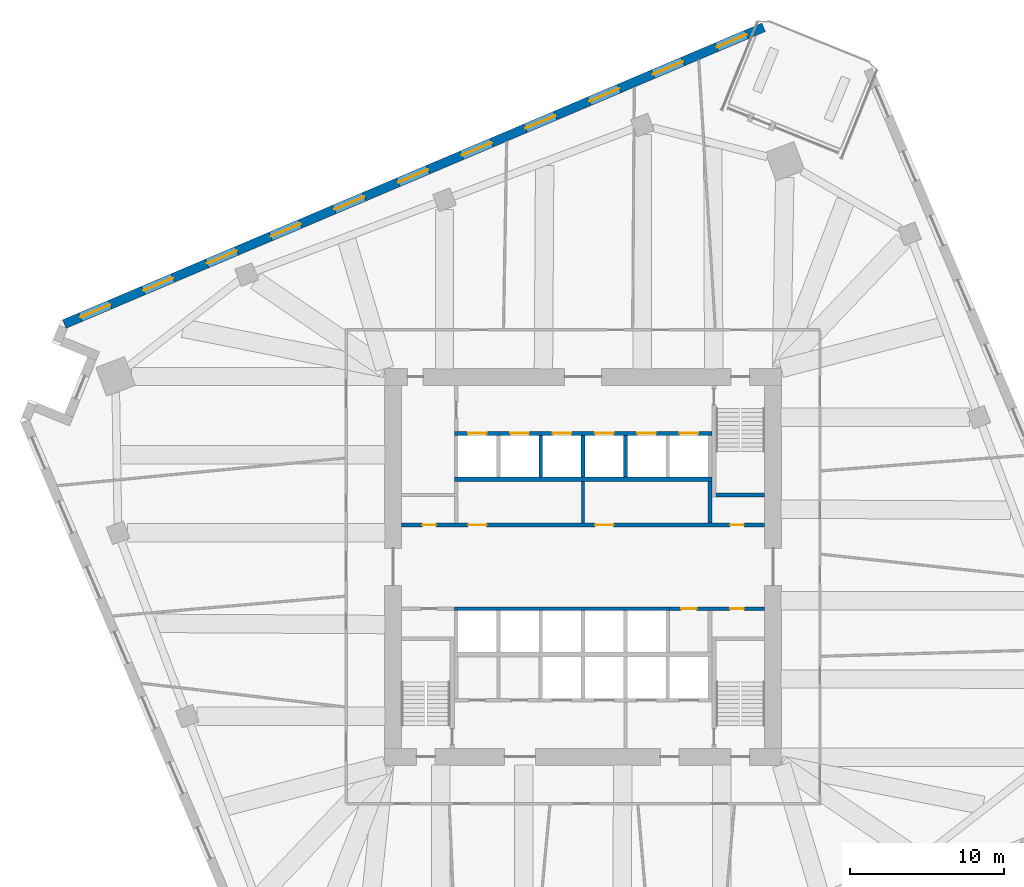
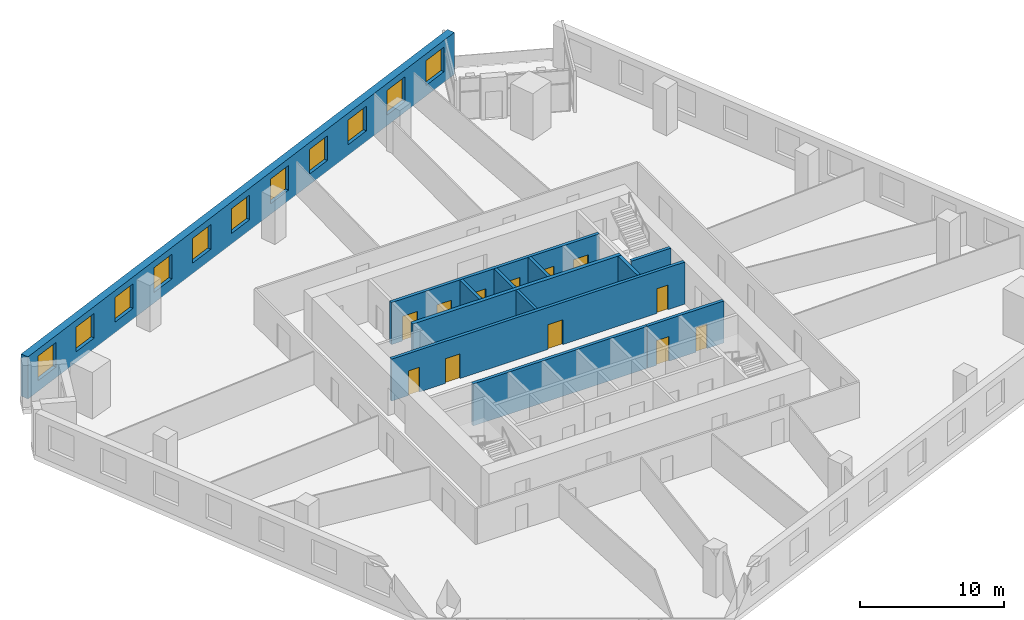
# One storey, part 8 of 12: 12 doors, 12 walls, 11 windows, 23 openings.
"""IFC4 building model written with IfcOpenShell, lengths in metres."""

from ifc_helpers import new_model, si_unit, direction, frame, frame_2d, origin, place, context, subcontext, project, spatial, rectangle, extrude, material, layer, layer_set, type_object, element, fill, save


model = new_model("IFC4")

# Units and contexts
model_context = context("Model", 3, precision=1e-05, world=origin(), true_north=direction((0.0, 1.0)))
body_context = subcontext(model_context, "Body", "Model", "MODEL_VIEW")
ifc_project = project(units=[si_unit("LENGTHUNIT", "METRE"), si_unit("AREAUNIT", "SQUARE_METRE"), si_unit("VOLUMEUNIT", "CUBIC_METRE"), si_unit("PLANEANGLEUNIT", "RADIAN"), si_unit("MASSUNIT", "GRAM", prefix="KILO")], contexts=[model_context])

# Site, building, storey
site_placement = place(None, origin())
site = spatial("IfcSite", under=ifc_project, at=site_placement, CompositionType="ELEMENT")
building_placement = place(site_placement, origin())
building = spatial("IfcBuilding", under=site, at=building_placement, Name="Dilmun Exchange Tower", CompositionType="ELEMENT")
storey_placement = place(building_placement, frame((0.0, 0.0, 114.10009765625)))
storey = spatial("IfcBuildingStorey", under=building, at=storey_placement, Name="L26", CompositionType="ELEMENT", Elevation=114.10009765625)

# Wall
ifc_material_1 = material(Name="Concrete C40/50", Category="concrete")
ifc_layer_1 = layer(ifc_material_1, 0.199951171875)
ifc_layer_set_1 = layer_set([ifc_layer_1], Name="Concrete C40/50")
wall_type_1 = type_object("IfcWallType", Name="Core partition wall 200", PredefinedType="PARTITIONING", material=ifc_layer_set_1)
wall_1_placement = place(storey_placement, frame((0.0, 2.85498046875, 0.0), z_axis=(0.0, 0.0, 1.0), x_axis=(0.0, 1.0, 0.0)))
element("IfcWall", 1, at=wall_1_placement, inside=storey, type_object=wall_type_1, Name="L26 core partition wall 10", PredefinedType="PARTITIONING", context=body_context, shape_type="SweptSolid", body=[
    extrude(rectangle(XDim=2.68994140625, YDim=0.199951171875, at=frame_2d((1.344970703125, 0.0))), origin(), (0.0, 0.0, 1.0), 3.579833984375),
])

# Wall, openings, doors
ifc_layer_2 = layer(ifc_material_1, 0.25)
ifc_layer_set_2 = layer_set([ifc_layer_2], Name="Concrete C40/50")
wall_type_2 = type_object("IfcWallType", Name="Core partition wall 250", PredefinedType="PARTITIONING", material=ifc_layer_set_2)
wall_2_placement = place(storey_placement, frame((5.6298828125, -2.72509765625, 0.0), z_axis=(0.0, 0.0, 1.0), x_axis=(1.0, 0.0, 0.0)))
wall_2 = element("IfcWall", 2, at=wall_2_placement, inside=storey, type_object=wall_type_2, Name="L26 core partition wall 07", PredefinedType="PARTITIONING", context=body_context, shape_type="SweptSolid", body=[
    extrude(rectangle(XDim=6.1650390625, YDim=0.25, at=frame_2d((3.08251953125, 0.0))), origin(), (0.0, 0.0, 1.0), 3.579833984375),
])
opening_1_placement = place(wall_2_placement, frame((0.7451171875, 0.0, 0.0)))
opening_1 = element("IfcOpeningElement", 3, at=opening_1_placement, cuts=wall_2, Name="Opening CD4", PredefinedType="OPENING", context=body_context, shape_type="SweptSolid", body=[
    extrude(rectangle(XDim=1.0, YDim=2.10009765625, at=frame_2d((0.5, 1.050048828125))), frame((0.0, 0.135009765625, 0.0), z_axis=(0.0, -1.0, 0.0), x_axis=(1.0, 0.0, 0.0)), (0.0, 0.0, 1.0), 0.27001953125),
])
opening_2_placement = place(wall_2_placement, frame((3.919921875, 0.0, 0.0)))
opening_2 = element("IfcOpeningElement", 4, at=opening_2_placement, cuts=wall_2, Name="Opening CD6", PredefinedType="OPENING", context=body_context, shape_type="SweptSolid", body=[
    extrude(rectangle(XDim=0.89990234375, YDim=2.10009765625, at=frame_2d((0.449951171875, 1.050048828125))), frame((0.0, 0.135009765625, 0.0), z_axis=(0.0, -1.0, 0.0), x_axis=(1.0, 0.0, 0.0)), (0.0, 0.0, 1.0), 0.27001953125),
])
ifc_material_2 = material(Name="Fire-rated steel door set", Category="steel")
door_type_1 = type_object("IfcDoorType", Name="Core room door 1000x2100", OperationType="SINGLE_SWING_LEFT", PredefinedType="DOOR", material=ifc_material_2)
door_1_placement = place(opening_1_placement, origin())
door_1 = element("IfcDoor", 5, at=door_1_placement, inside=storey, type_object=door_type_1, Name="L26 door Cleaners' store", OperationType="SINGLE_SWING_LEFT", OverallHeight=2.10009765625, OverallWidth=1.0, PredefinedType="DOOR", context=body_context, shape_type="SweptSolid", body=[
    extrude(rectangle(XDim=1.0, YDim=2.10009765625, at=frame_2d((0.5, 1.050048828125))), frame((0.0, 0.02490234375, 0.0), z_axis=(0.0, -1.0, 0.0), x_axis=(1.0, 0.0, 0.0)), (0.0, 0.0, 1.0), 0.050048828125),
])
fill(opening_1, door_1)
door_type_2 = type_object("IfcDoorType", Name="Core room door 900x2100", OperationType="SINGLE_SWING_LEFT", PredefinedType="DOOR", material=ifc_material_2)
door_2_placement = place(opening_2_placement, origin())
door_2 = element("IfcDoor", 6, at=door_2_placement, inside=storey, type_object=door_type_2, Name="L26 door Comms riser", OperationType="SINGLE_SWING_LEFT", OverallHeight=2.10009765625, OverallWidth=0.89990234375, PredefinedType="DOOR", context=body_context, shape_type="SweptSolid", body=[
    extrude(rectangle(XDim=0.89990234375, YDim=2.10009765625, at=frame_2d((0.449951171875, 1.050048828125))), frame((0.0, 0.02490234375, 0.0), z_axis=(0.0, -1.0, 0.0), x_axis=(1.0, 0.0, 0.0)), (0.0, 0.0, 1.0), 0.050048828125),
])
fill(opening_2, door_2)

wall_3_placement = place(storey_placement, frame((-11.794921875, 2.72509765625, 0.0), z_axis=(0.0, 0.0, 1.0), x_axis=(1.0, 0.0, 0.0)))
wall_3 = element("IfcWall", 7, at=wall_3_placement, inside=storey, type_object=wall_type_2, Name="L26 core partition wall 08", PredefinedType="PARTITIONING", context=body_context, shape_type="SweptSolid", body=[
    extrude(rectangle(XDim=23.58984375, YDim=0.25, at=frame_2d((11.794921875, 0.0))), origin(), (0.0, 0.0, 1.0), 3.579833984375),
])
opening_3_placement = place(wall_3_placement, frame((21.344970703125, 0.0, 0.0)))
opening_3 = element("IfcOpeningElement", 8, at=opening_3_placement, cuts=wall_3, Name="Opening CD6", PredefinedType="OPENING", context=body_context, shape_type="SweptSolid", body=[
    extrude(rectangle(XDim=0.89990234375, YDim=2.10009765625, at=frame_2d((0.449951171875, 1.050048828125))), frame((0.0, 0.135009765625, 0.0), z_axis=(0.0, -1.0, 0.0), x_axis=(1.0, 0.0, 0.0)), (0.0, 0.0, 1.0), 0.27001953125),
])
opening_4_placement = place(wall_3_placement, frame((1.344970703125, 0.0, 0.0)))
opening_4 = element("IfcOpeningElement", 9, at=opening_4_placement, cuts=wall_3, Name="Opening CD6", PredefinedType="OPENING", context=body_context, shape_type="SweptSolid", body=[
    extrude(rectangle(XDim=0.89990234375, YDim=2.10009765625, at=frame_2d((0.449951171875, 1.050048828125))), frame((0.0, 0.135009765625, 0.0), z_axis=(0.0, -1.0, 0.0), x_axis=(1.0, 0.0, 0.0)), (0.0, 0.0, 1.0), 0.27001953125),
])
opening_5_placement = place(wall_3_placement, frame((4.320068359375, 0.0, 0.0)))
opening_5 = element("IfcOpeningElement", 10, at=opening_5_placement, cuts=wall_3, Name="Opening CD3", PredefinedType="OPENING", context=body_context, shape_type="SweptSolid", body=[
    extrude(rectangle(XDim=1.199951171875, YDim=2.10009765625, at=frame_2d((0.60009765625, 1.050048828125))), frame((0.0, 0.135009765625, 0.0), z_axis=(0.0, -1.0, 0.0), x_axis=(1.0, 0.0, 0.0)), (0.0, 0.0, 1.0), 0.27001953125),
])
opening_6_placement = place(wall_3_placement, frame((12.570068359375, 0.0, 0.0)))
opening_6 = element("IfcOpeningElement", 11, at=opening_6_placement, cuts=wall_3, Name="Opening CD3", PredefinedType="OPENING", context=body_context, shape_type="SweptSolid", body=[
    extrude(rectangle(XDim=1.199951171875, YDim=2.10009765625, at=frame_2d((0.60009765625, 1.050048828125))), frame((0.0, 0.135009765625, 0.0), z_axis=(0.0, -1.0, 0.0), x_axis=(1.0, 0.0, 0.0)), (0.0, 0.0, 1.0), 0.27001953125),
])
door_3_placement = place(opening_3_placement, origin())
door_3 = element("IfcDoor", 12, at=door_3_placement, inside=storey, type_object=door_type_2, Name="L26 door Electrical riser", OperationType="SINGLE_SWING_LEFT", OverallHeight=2.10009765625, OverallWidth=0.89990234375, PredefinedType="DOOR", context=body_context, shape_type="SweptSolid", body=[
    extrude(rectangle(XDim=0.89990234375, YDim=2.10009765625, at=frame_2d((0.449951171875, 1.050048828125))), frame((0.0, 0.02490234375, 0.0), z_axis=(0.0, -1.0, 0.0), x_axis=(1.0, 0.0, 0.0)), (0.0, 0.0, 1.0), 0.050048828125),
])
fill(opening_3, door_3)
door_4_placement = place(opening_4_placement, origin())
door_4 = element("IfcDoor", 13, at=door_4_placement, inside=storey, type_object=door_type_2, Name="L26 door Plumbing riser", OperationType="SINGLE_SWING_LEFT", OverallHeight=2.10009765625, OverallWidth=0.89990234375, PredefinedType="DOOR", context=body_context, shape_type="SweptSolid", body=[
    extrude(rectangle(XDim=0.89990234375, YDim=2.10009765625, at=frame_2d((0.449951171875, 1.050048828125))), frame((0.0, 0.02490234375, 0.0), z_axis=(0.0, -1.0, 0.0), x_axis=(1.0, 0.0, 0.0)), (0.0, 0.0, 1.0), 0.050048828125),
])
fill(opening_4, door_4)
door_type_3 = type_object("IfcDoorType", Name="Stair exit door 1200x2100", OperationType="SINGLE_SWING_LEFT", PredefinedType="DOOR", material=ifc_material_2)
door_5_placement = place(opening_5_placement, origin())
door_5 = element("IfcDoor", 14, at=door_5_placement, inside=storey, type_object=door_type_3, Name="L26 door Facilities workshop", OperationType="SINGLE_SWING_LEFT", OverallHeight=2.10009765625, OverallWidth=1.199951171875, PredefinedType="DOOR", context=body_context, shape_type="SweptSolid", body=[
    extrude(rectangle(XDim=1.199951171875, YDim=2.10009765625, at=frame_2d((0.60009765625, 1.050048828125))), frame((0.0, 0.02490234375, 0.0), z_axis=(0.0, -1.0, 0.0), x_axis=(1.0, 0.0, 0.0)), (0.0, 0.0, 1.0), 0.050048828125),
])
fill(opening_5, door_5)
door_6_placement = place(opening_6_placement, origin())
door_6 = element("IfcDoor", 15, at=door_6_placement, inside=storey, type_object=door_type_3, Name="L26 door Quiet working room", OperationType="SINGLE_SWING_LEFT", OverallHeight=2.10009765625, OverallWidth=1.199951171875, PredefinedType="DOOR", context=body_context, shape_type="SweptSolid", body=[
    extrude(rectangle(XDim=1.199951171875, YDim=2.10009765625, at=frame_2d((0.60009765625, 1.050048828125))), frame((0.0, 0.02490234375, 0.0), z_axis=(0.0, -1.0, 0.0), x_axis=(1.0, 0.0, 0.0)), (0.0, 0.0, 1.0), 0.050048828125),
])
fill(opening_6, door_6)

# Walls
wall_4_placement = place(storey_placement, frame((8.25, 2.85498046875, 0.0), z_axis=(0.0, 0.0, 1.0), x_axis=(0.0, 1.0, 0.0)))
element("IfcWall", 16, at=wall_4_placement, inside=storey, type_object=wall_type_2, Name="L26 core partition wall 11", PredefinedType="PARTITIONING", context=body_context, shape_type="SweptSolid", body=[
    extrude(rectangle(XDim=2.68994140625, YDim=0.25, at=frame_2d((1.344970703125, 0.0))), origin(), (0.0, 0.0, 1.0), 3.579833984375),
])
ifc_layer_3 = layer(ifc_material_1, 0.300048828125)
ifc_layer_set_3 = layer_set([ifc_layer_3], Name="Concrete C40/50")
wall_type_3 = type_object("IfcWallType", Name="Lift shaft shared wall 300", PredefinedType="SOLIDWALL", material=ifc_layer_set_3)
wall_5_placement = place(storey_placement, frame((-8.375, 5.699951171875, 0.0), z_axis=(0.0, 0.0, 1.0), x_axis=(1.0, 0.0, 0.0)))
element("IfcWall", 17, at=wall_5_placement, inside=storey, type_object=wall_type_3, Name="L26 lift shaft rear wall N", PredefinedType="SOLIDWALL", context=body_context, shape_type="SweptSolid", body=[
    extrude(rectangle(XDim=16.75, YDim=0.300048828125, at=frame_2d((8.375, 0.0))), origin(), (0.0, 0.0, 1.0), 3.579833984375),
])

# Wall, openings, doors
ifc_layer_4 = layer(ifc_material_1, 0.25)
ifc_layer_set_4 = layer_set([ifc_layer_4], Name="Concrete C40/50")
wall_type_4 = type_object("IfcWallType", Name="Lift shaft wall 250", PredefinedType="SOLIDWALL", material=ifc_layer_set_4)
wall_6_placement = place(storey_placement, frame((-8.375, 8.675048828125, 0.0), z_axis=(0.0, 0.0, 1.0), x_axis=(1.0, 0.0, 0.0)))
wall_6 = element("IfcWall", 18, at=wall_6_placement, inside=storey, type_object=wall_type_4, Name="L26 lift shaft front wall N2", PredefinedType="SOLIDWALL", context=body_context, shape_type="SweptSolid", body=[
    extrude(rectangle(XDim=16.75, YDim=0.25, at=frame_2d((8.375, 0.0))), origin(), (0.0, 0.0, 1.0), 3.579833984375),
])
opening_7_placement = place(wall_6_placement, frame((0.89990234375, 0.0, 0.0)))
opening_7 = element("IfcOpeningElement", 19, at=opening_7_placement, cuts=wall_6, Name="Opening LD", PredefinedType="OPENING", context=body_context, shape_type="SweptSolid", body=[
    extrude(rectangle(XDim=1.199951171875, YDim=2.10009765625, at=frame_2d((0.60009765625, 1.050048828125))), frame((0.0, 0.135009765625, 0.0), z_axis=(0.0, -1.0, 0.0), x_axis=(1.0, 0.0, 0.0)), (0.0, 0.0, 1.0), 0.27001953125),
])
opening_8_placement = place(wall_6_placement, frame((3.64990234375, 0.0, 0.0)))
opening_8 = element("IfcOpeningElement", 20, at=opening_8_placement, cuts=wall_6, Name="Opening LD", PredefinedType="OPENING", context=body_context, shape_type="SweptSolid", body=[
    extrude(rectangle(XDim=1.199951171875, YDim=2.10009765625, at=frame_2d((0.60009765625, 1.050048828125))), frame((0.0, 0.135009765625, 0.0), z_axis=(0.0, -1.0, 0.0), x_axis=(1.0, 0.0, 0.0)), (0.0, 0.0, 1.0), 0.27001953125),
])
opening_9_placement = place(wall_6_placement, frame((6.39990234375, 0.0, 0.0)))
opening_9 = element("IfcOpeningElement", 21, at=opening_9_placement, cuts=wall_6, Name="Opening LD", PredefinedType="OPENING", context=body_context, shape_type="SweptSolid", body=[
    extrude(rectangle(XDim=1.199951171875, YDim=2.10009765625, at=frame_2d((0.60009765625, 1.050048828125))), frame((0.0, 0.135009765625, 0.0), z_axis=(0.0, -1.0, 0.0), x_axis=(1.0, 0.0, 0.0)), (0.0, 0.0, 1.0), 0.27001953125),
])
opening_10_placement = place(wall_6_placement, frame((9.14990234375, 0.0, 0.0)))
opening_10 = element("IfcOpeningElement", 22, at=opening_10_placement, cuts=wall_6, Name="Opening LD", PredefinedType="OPENING", context=body_context, shape_type="SweptSolid", body=[
    extrude(rectangle(XDim=1.199951171875, YDim=2.10009765625, at=frame_2d((0.60009765625, 1.050048828125))), frame((0.0, 0.135009765625, 0.0), z_axis=(0.0, -1.0, 0.0), x_axis=(1.0, 0.0, 0.0)), (0.0, 0.0, 1.0), 0.27001953125),
])
opening_11_placement = place(wall_6_placement, frame((11.89990234375, 0.0, 0.0)))
opening_11 = element("IfcOpeningElement", 23, at=opening_11_placement, cuts=wall_6, Name="Opening LD", PredefinedType="OPENING", context=body_context, shape_type="SweptSolid", body=[
    extrude(rectangle(XDim=1.199951171875, YDim=2.10009765625, at=frame_2d((0.60009765625, 1.050048828125))), frame((0.0, 0.135009765625, 0.0), z_axis=(0.0, -1.0, 0.0), x_axis=(1.0, 0.0, 0.0)), (0.0, 0.0, 1.0), 0.27001953125),
])
opening_12_placement = place(wall_6_placement, frame((14.64990234375, 0.0, 0.0)))
opening_12 = element("IfcOpeningElement", 24, at=opening_12_placement, cuts=wall_6, Name="Opening LD", PredefinedType="OPENING", context=body_context, shape_type="SweptSolid", body=[
    extrude(rectangle(XDim=1.199951171875, YDim=2.10009765625, at=frame_2d((0.60009765625, 1.050048828125))), frame((0.0, 0.135009765625, 0.0), z_axis=(0.0, -1.0, 0.0), x_axis=(1.0, 0.0, 0.0)), (0.0, 0.0, 1.0), 0.27001953125),
])
door_type_4 = type_object("IfcDoorType", Name="Lift landing door 1200x2100", OperationType="DOUBLE_DOOR_SLIDING", PredefinedType="DOOR", material=ifc_material_2)
door_7_placement = place(opening_7_placement, origin())
door_7 = element("IfcDoor", 25, at=door_7_placement, inside=storey, type_object=door_type_4, Name="L26 landing door LR1", OperationType="DOUBLE_DOOR_SLIDING", OverallHeight=2.10009765625, OverallWidth=1.199951171875, PredefinedType="DOOR", context=body_context, shape_type="SweptSolid", body=[
    extrude(rectangle(XDim=1.199951171875, YDim=2.10009765625, at=frame_2d((0.60009765625, 1.050048828125))), frame((0.0, 0.02490234375, 0.0), z_axis=(0.0, -1.0, 0.0), x_axis=(1.0, 0.0, 0.0)), (0.0, 0.0, 1.0), 0.050048828125),
])
fill(opening_7, door_7)
door_8_placement = place(opening_8_placement, origin())
door_8 = element("IfcDoor", 26, at=door_8_placement, inside=storey, type_object=door_type_4, Name="L26 landing door LR2", OperationType="DOUBLE_DOOR_SLIDING", OverallHeight=2.10009765625, OverallWidth=1.199951171875, PredefinedType="DOOR", context=body_context, shape_type="SweptSolid", body=[
    extrude(rectangle(XDim=1.199951171875, YDim=2.10009765625, at=frame_2d((0.60009765625, 1.050048828125))), frame((0.0, 0.02490234375, 0.0), z_axis=(0.0, -1.0, 0.0), x_axis=(1.0, 0.0, 0.0)), (0.0, 0.0, 1.0), 0.050048828125),
])
fill(opening_8, door_8)
door_9_placement = place(opening_9_placement, origin())
door_9 = element("IfcDoor", 27, at=door_9_placement, inside=storey, type_object=door_type_4, Name="L26 landing door LR3", OperationType="DOUBLE_DOOR_SLIDING", OverallHeight=2.10009765625, OverallWidth=1.199951171875, PredefinedType="DOOR", context=body_context, shape_type="SweptSolid", body=[
    extrude(rectangle(XDim=1.199951171875, YDim=2.10009765625, at=frame_2d((0.60009765625, 1.050048828125))), frame((0.0, 0.02490234375, 0.0), z_axis=(0.0, -1.0, 0.0), x_axis=(1.0, 0.0, 0.0)), (0.0, 0.0, 1.0), 0.050048828125),
])
fill(opening_9, door_9)
door_10_placement = place(opening_10_placement, origin())
door_10 = element("IfcDoor", 28, at=door_10_placement, inside=storey, type_object=door_type_4, Name="L26 landing door LR4", OperationType="DOUBLE_DOOR_SLIDING", OverallHeight=2.10009765625, OverallWidth=1.199951171875, PredefinedType="DOOR", context=body_context, shape_type="SweptSolid", body=[
    extrude(rectangle(XDim=1.199951171875, YDim=2.10009765625, at=frame_2d((0.60009765625, 1.050048828125))), frame((0.0, 0.02490234375, 0.0), z_axis=(0.0, -1.0, 0.0), x_axis=(1.0, 0.0, 0.0)), (0.0, 0.0, 1.0), 0.050048828125),
])
fill(opening_10, door_10)
door_11_placement = place(opening_11_placement, origin())
door_11 = element("IfcDoor", 29, at=door_11_placement, inside=storey, type_object=door_type_4, Name="L26 landing door LR5", OperationType="DOUBLE_DOOR_SLIDING", OverallHeight=2.10009765625, OverallWidth=1.199951171875, PredefinedType="DOOR", context=body_context, shape_type="SweptSolid", body=[
    extrude(rectangle(XDim=1.199951171875, YDim=2.10009765625, at=frame_2d((0.60009765625, 1.050048828125))), frame((0.0, 0.02490234375, 0.0), z_axis=(0.0, -1.0, 0.0), x_axis=(1.0, 0.0, 0.0)), (0.0, 0.0, 1.0), 0.050048828125),
])
fill(opening_11, door_11)
door_12_placement = place(opening_12_placement, origin())
door_12 = element("IfcDoor", 30, at=door_12_placement, inside=storey, type_object=door_type_4, Name="L26 landing door LR6", OperationType="DOUBLE_DOOR_SLIDING", OverallHeight=2.10009765625, OverallWidth=1.199951171875, PredefinedType="DOOR", context=body_context, shape_type="SweptSolid", body=[
    extrude(rectangle(XDim=1.199951171875, YDim=2.10009765625, at=frame_2d((0.60009765625, 1.050048828125))), frame((0.0, 0.02490234375, 0.0), z_axis=(0.0, -1.0, 0.0), x_axis=(1.0, 0.0, 0.0)), (0.0, 0.0, 1.0), 0.050048828125),
])
fill(opening_12, door_12)

# Walls
for number, where, z_axis, x_axis, name in (
    (31, (-2.75, 5.85009765625, 0.0), (0.0, 0.0, 1.0), (0.0, 1.0, 0.0), "L26 lift shaft divider N22"),
    (32, (0.0, 5.85009765625, 0.0), (0.0, 0.0, 1.0), (0.0, 1.0, 0.0), "L26 lift shaft divider N23"),
    (33, (2.75, 5.85009765625, 0.0), (0.0, 0.0, 1.0), (0.0, 1.0, 0.0), "L26 lift shaft divider N24"),
):
    element("IfcWall", number, at=place(storey_placement, frame(where, z_axis=z_axis, x_axis=x_axis)), inside=storey, type_object=wall_type_4, Name=name, PredefinedType="SOLIDWALL", context=body_context, shape_type="SweptSolid", body=[
        extrude(rectangle(XDim=2.699951171875, YDim=0.25, at=frame_2d((1.35009765625, 0.0))), origin(), (0.0, 0.0, 1.0), 3.579833984375),
    ])
wall_7_placement = place(storey_placement, frame((-8.375, -2.72509765625, 0.0), z_axis=(0.0, 0.0, 1.0), x_axis=(1.0, 0.0, 0.0)))
element("IfcWall", 34, at=wall_7_placement, inside=storey, type_object=wall_type_4, Name="L26 lift shaft front wall S1", PredefinedType="SOLIDWALL", context=body_context, shape_type="SweptSolid", body=[
    extrude(rectangle(XDim=14.0, YDim=0.25, at=frame_2d((7.0, 0.0))), origin(), (0.0, 0.0, 1.0), 3.579833984375),
])

# Wall, openings, windows
ifc_material_3 = material(Name="Precast concrete C50/60", Category="concrete")
ifc_layer_5 = layer(ifc_material_3, 0.60009765625)
ifc_layer_set_5 = layer_set([ifc_layer_5], Name="Precast concrete C50/60")
wall_type_5 = type_object("IfcWallType", Name="Precast stone-clad wall 600", PredefinedType="STANDARD", material=ifc_layer_set_5)
wall_8_placement = place(storey_placement, frame((11.72900390625, 35.07080078125, 0.0), z_axis=(0.0, 0.0, 1.0), x_axis=(-0.920505483293, -0.390729644674, 0.0)))
wall_8 = element("IfcWall", 35, at=wall_8_placement, inside=storey, type_object=wall_type_5, Name="Facade wall L26-03", PredefinedType="STANDARD", context=body_context, shape_type="SweptSolid", body=[
    extrude(rectangle(XDim=49.37548828125, YDim=0.60009765625, at=frame_2d((24.687744140625, 0.0))), origin(), (0.0, 0.0, 1.0), 3.579833984375),
])
opening_13_placement = place(wall_8_placement, frame((1.199951171875, 0.0, 0.89990234375)))
opening_13 = element("IfcOpeningElement", 36, at=opening_13_placement, cuts=wall_8, Name="Opening W210-210", PredefinedType="OPENING", context=body_context, shape_type="SweptSolid", body=[
    extrude(rectangle(XDim=2.10009765625, YDim=2.10009765625, at=frame_2d((1.050048828125, 1.050048828125))), frame((0.0, 0.31005859375, 0.0), z_axis=(0.0, -1.0, 0.0), x_axis=(1.0, 0.0, 0.0)), (0.0, 0.0, 1.0), 0.6201171875),
])
opening_14_placement = place(wall_8_placement, frame((5.699951171875, 0.0, 0.89990234375)))
opening_14 = element("IfcOpeningElement", 37, at=opening_14_placement, cuts=wall_8, Name="Opening W210-210", PredefinedType="OPENING", context=body_context, shape_type="SweptSolid", body=[
    extrude(rectangle(XDim=2.10009765625, YDim=2.10009765625, at=frame_2d((1.050048828125, 1.050048828125))), frame((0.0, 0.31005859375, 0.0), z_axis=(0.0, -1.0, 0.0), x_axis=(1.0, 0.0, 0.0)), (0.0, 0.0, 1.0), 0.6201171875),
])
opening_15_placement = place(wall_8_placement, frame((10.199951171875, 0.0, 0.89990234375)))
opening_15 = element("IfcOpeningElement", 38, at=opening_15_placement, cuts=wall_8, Name="Opening W210-210", PredefinedType="OPENING", context=body_context, shape_type="SweptSolid", body=[
    extrude(rectangle(XDim=2.10009765625, YDim=2.10009765625, at=frame_2d((1.050048828125, 1.050048828125))), frame((0.0, 0.31005859375, 0.0), z_axis=(0.0, -1.0, 0.0), x_axis=(1.0, 0.0, 0.0)), (0.0, 0.0, 1.0), 0.6201171875),
])
opening_16_placement = place(wall_8_placement, frame((14.699951171875, 0.0, 0.89990234375)))
opening_16 = element("IfcOpeningElement", 39, at=opening_16_placement, cuts=wall_8, Name="Opening W210-210", PredefinedType="OPENING", context=body_context, shape_type="SweptSolid", body=[
    extrude(rectangle(XDim=2.10009765625, YDim=2.10009765625, at=frame_2d((1.050048828125, 1.050048828125))), frame((0.0, 0.31005859375, 0.0), z_axis=(0.0, -1.0, 0.0), x_axis=(1.0, 0.0, 0.0)), (0.0, 0.0, 1.0), 0.6201171875),
])
opening_17_placement = place(wall_8_placement, frame((19.199951171875, 0.0, 0.89990234375)))
opening_17 = element("IfcOpeningElement", 40, at=opening_17_placement, cuts=wall_8, Name="Opening W210-210", PredefinedType="OPENING", context=body_context, shape_type="SweptSolid", body=[
    extrude(rectangle(XDim=2.10009765625, YDim=2.10009765625, at=frame_2d((1.050048828125, 1.050048828125))), frame((0.0, 0.31005859375, 0.0), z_axis=(0.0, -1.0, 0.0), x_axis=(1.0, 0.0, 0.0)), (0.0, 0.0, 1.0), 0.6201171875),
])
opening_18_placement = place(wall_8_placement, frame((23.699951171875, 0.0, 0.89990234375)))
opening_18 = element("IfcOpeningElement", 41, at=opening_18_placement, cuts=wall_8, Name="Opening W210-210", PredefinedType="OPENING", context=body_context, shape_type="SweptSolid", body=[
    extrude(rectangle(XDim=2.10009765625, YDim=2.10009765625, at=frame_2d((1.050048828125, 1.050048828125))), frame((0.0, 0.31005859375, 0.0), z_axis=(0.0, -1.0, 0.0), x_axis=(1.0, 0.0, 0.0)), (0.0, 0.0, 1.0), 0.6201171875),
])
opening_19_placement = place(wall_8_placement, frame((28.199951171875, 0.0, 0.89990234375)))
opening_19 = element("IfcOpeningElement", 42, at=opening_19_placement, cuts=wall_8, Name="Opening W210-210", PredefinedType="OPENING", context=body_context, shape_type="SweptSolid", body=[
    extrude(rectangle(XDim=2.10009765625, YDim=2.10009765625, at=frame_2d((1.050048828125, 1.050048828125))), frame((0.0, 0.31005859375, 0.0), z_axis=(0.0, -1.0, 0.0), x_axis=(1.0, 0.0, 0.0)), (0.0, 0.0, 1.0), 0.6201171875),
])
opening_20_placement = place(wall_8_placement, frame((32.699951171875, 0.0, 0.89990234375)))
opening_20 = element("IfcOpeningElement", 43, at=opening_20_placement, cuts=wall_8, Name="Opening W210-210", PredefinedType="OPENING", context=body_context, shape_type="SweptSolid", body=[
    extrude(rectangle(XDim=2.10009765625, YDim=2.10009765625, at=frame_2d((1.050048828125, 1.050048828125))), frame((0.0, 0.31005859375, 0.0), z_axis=(0.0, -1.0, 0.0), x_axis=(1.0, 0.0, 0.0)), (0.0, 0.0, 1.0), 0.6201171875),
])
opening_21_placement = place(wall_8_placement, frame((37.199951171875, 0.0, 0.89990234375)))
opening_21 = element("IfcOpeningElement", 44, at=opening_21_placement, cuts=wall_8, Name="Opening W210-210", PredefinedType="OPENING", context=body_context, shape_type="SweptSolid", body=[
    extrude(rectangle(XDim=2.10009765625, YDim=2.10009765625, at=frame_2d((1.050048828125, 1.050048828125))), frame((0.0, 0.31005859375, 0.0), z_axis=(0.0, -1.0, 0.0), x_axis=(1.0, 0.0, 0.0)), (0.0, 0.0, 1.0), 0.6201171875),
])
opening_22_placement = place(wall_8_placement, frame((41.699951171875, 0.0, 0.89990234375)))
opening_22 = element("IfcOpeningElement", 45, at=opening_22_placement, cuts=wall_8, Name="Opening W210-210", PredefinedType="OPENING", context=body_context, shape_type="SweptSolid", body=[
    extrude(rectangle(XDim=2.10009765625, YDim=2.10009765625, at=frame_2d((1.050048828125, 1.050048828125))), frame((0.0, 0.31005859375, 0.0), z_axis=(0.0, -1.0, 0.0), x_axis=(1.0, 0.0, 0.0)), (0.0, 0.0, 1.0), 0.6201171875),
])
opening_23_placement = place(wall_8_placement, frame((46.137939453125, 0.0, 0.89990234375)))
opening_23 = element("IfcOpeningElement", 46, at=opening_23_placement, cuts=wall_8, Name="Opening W210-210", PredefinedType="OPENING", context=body_context, shape_type="SweptSolid", body=[
    extrude(rectangle(XDim=2.10009765625, YDim=2.10009765625, at=frame_2d((1.050048828125, 1.050048828125))), frame((0.0, 0.31005859375, 0.0), z_axis=(0.0, -1.0, 0.0), x_axis=(1.0, 0.0, 0.0)), (0.0, 0.0, 1.0), 0.6201171875),
])
ifc_material_4 = material(Name="Clear low-emissivity glass in aluminium frame", Category="aluminium")
window_type = type_object("IfcWindowType", Name="Punched window 2100 x 2100", PartitioningType="DOUBLE_PANEL_VERTICAL", PredefinedType="WINDOW", material=ifc_material_4)
window_1_placement = place(opening_13_placement, origin())
window_1 = element("IfcWindow", 47, at=window_1_placement, inside=storey, type_object=window_type, Name="Window 4.1", OverallHeight=2.10009765625, OverallWidth=2.10009765625, PartitioningType="SINGLE_PANEL", PredefinedType="WINDOW", context=body_context, shape_type="SweptSolid", body=[
    extrude(rectangle(XDim=2.10009765625, YDim=2.10009765625, at=frame_2d((1.050048828125, 1.050048828125))), frame((0.0, 0.030029296875, 0.0), z_axis=(0.0, -1.0, 0.0), x_axis=(1.0, 0.0, 0.0)), (0.0, 0.0, 1.0), 0.06005859375),
])
fill(opening_13, window_1)
window_2_placement = place(opening_14_placement, origin())
window_2 = element("IfcWindow", 48, at=window_2_placement, inside=storey, type_object=window_type, Name="Window 4.2", OverallHeight=2.10009765625, OverallWidth=2.10009765625, PartitioningType="SINGLE_PANEL", PredefinedType="WINDOW", context=body_context, shape_type="SweptSolid", body=[
    extrude(rectangle(XDim=2.10009765625, YDim=2.10009765625, at=frame_2d((1.050048828125, 1.050048828125))), frame((0.0, 0.030029296875, 0.0), z_axis=(0.0, -1.0, 0.0), x_axis=(1.0, 0.0, 0.0)), (0.0, 0.0, 1.0), 0.06005859375),
])
fill(opening_14, window_2)
window_3_placement = place(opening_15_placement, origin())
window_3 = element("IfcWindow", 49, at=window_3_placement, inside=storey, type_object=window_type, Name="Window 4.3", OverallHeight=2.10009765625, OverallWidth=2.10009765625, PartitioningType="SINGLE_PANEL", PredefinedType="WINDOW", context=body_context, shape_type="SweptSolid", body=[
    extrude(rectangle(XDim=2.10009765625, YDim=2.10009765625, at=frame_2d((1.050048828125, 1.050048828125))), frame((0.0, 0.030029296875, 0.0), z_axis=(0.0, -1.0, 0.0), x_axis=(1.0, 0.0, 0.0)), (0.0, 0.0, 1.0), 0.06005859375),
])
fill(opening_15, window_3)
window_4_placement = place(opening_16_placement, origin())
window_4 = element("IfcWindow", 50, at=window_4_placement, inside=storey, type_object=window_type, Name="Window 4.4", OverallHeight=2.10009765625, OverallWidth=2.10009765625, PartitioningType="SINGLE_PANEL", PredefinedType="WINDOW", context=body_context, shape_type="SweptSolid", body=[
    extrude(rectangle(XDim=2.10009765625, YDim=2.10009765625, at=frame_2d((1.050048828125, 1.050048828125))), frame((0.0, 0.030029296875, 0.0), z_axis=(0.0, -1.0, 0.0), x_axis=(1.0, 0.0, 0.0)), (0.0, 0.0, 1.0), 0.06005859375),
])
fill(opening_16, window_4)
window_5_placement = place(opening_17_placement, origin())
window_5 = element("IfcWindow", 51, at=window_5_placement, inside=storey, type_object=window_type, Name="Window 4.5", OverallHeight=2.10009765625, OverallWidth=2.10009765625, PartitioningType="SINGLE_PANEL", PredefinedType="WINDOW", context=body_context, shape_type="SweptSolid", body=[
    extrude(rectangle(XDim=2.10009765625, YDim=2.10009765625, at=frame_2d((1.050048828125, 1.050048828125))), frame((0.0, 0.030029296875, 0.0), z_axis=(0.0, -1.0, 0.0), x_axis=(1.0, 0.0, 0.0)), (0.0, 0.0, 1.0), 0.06005859375),
])
fill(opening_17, window_5)
window_6_placement = place(opening_18_placement, origin())
window_6 = element("IfcWindow", 52, at=window_6_placement, inside=storey, type_object=window_type, Name="Window 4.6", OverallHeight=2.10009765625, OverallWidth=2.10009765625, PartitioningType="SINGLE_PANEL", PredefinedType="WINDOW", context=body_context, shape_type="SweptSolid", body=[
    extrude(rectangle(XDim=2.10009765625, YDim=2.10009765625, at=frame_2d((1.050048828125, 1.050048828125))), frame((0.0, 0.030029296875, 0.0), z_axis=(0.0, -1.0, 0.0), x_axis=(1.0, 0.0, 0.0)), (0.0, 0.0, 1.0), 0.06005859375),
])
fill(opening_18, window_6)
window_7_placement = place(opening_19_placement, origin())
window_7 = element("IfcWindow", 53, at=window_7_placement, inside=storey, type_object=window_type, Name="Window 4.7", OverallHeight=2.10009765625, OverallWidth=2.10009765625, PartitioningType="SINGLE_PANEL", PredefinedType="WINDOW", context=body_context, shape_type="SweptSolid", body=[
    extrude(rectangle(XDim=2.10009765625, YDim=2.10009765625, at=frame_2d((1.050048828125, 1.050048828125))), frame((0.0, 0.030029296875, 0.0), z_axis=(0.0, -1.0, 0.0), x_axis=(1.0, 0.0, 0.0)), (0.0, 0.0, 1.0), 0.06005859375),
])
fill(opening_19, window_7)
window_8_placement = place(opening_20_placement, origin())
window_8 = element("IfcWindow", 54, at=window_8_placement, inside=storey, type_object=window_type, Name="Window 4.8", OverallHeight=2.10009765625, OverallWidth=2.10009765625, PartitioningType="SINGLE_PANEL", PredefinedType="WINDOW", context=body_context, shape_type="SweptSolid", body=[
    extrude(rectangle(XDim=2.10009765625, YDim=2.10009765625, at=frame_2d((1.050048828125, 1.050048828125))), frame((0.0, 0.030029296875, 0.0), z_axis=(0.0, -1.0, 0.0), x_axis=(1.0, 0.0, 0.0)), (0.0, 0.0, 1.0), 0.06005859375),
])
fill(opening_20, window_8)
window_9_placement = place(opening_21_placement, origin())
window_9 = element("IfcWindow", 55, at=window_9_placement, inside=storey, type_object=window_type, Name="Window 4.9", OverallHeight=2.10009765625, OverallWidth=2.10009765625, PartitioningType="SINGLE_PANEL", PredefinedType="WINDOW", context=body_context, shape_type="SweptSolid", body=[
    extrude(rectangle(XDim=2.10009765625, YDim=2.10009765625, at=frame_2d((1.050048828125, 1.050048828125))), frame((0.0, 0.030029296875, 0.0), z_axis=(0.0, -1.0, 0.0), x_axis=(1.0, 0.0, 0.0)), (0.0, 0.0, 1.0), 0.06005859375),
])
fill(opening_21, window_9)
window_10_placement = place(opening_22_placement, origin())
window_10 = element("IfcWindow", 56, at=window_10_placement, inside=storey, type_object=window_type, Name="Window 4.10", OverallHeight=2.10009765625, OverallWidth=2.10009765625, PartitioningType="SINGLE_PANEL", PredefinedType="WINDOW", context=body_context, shape_type="SweptSolid", body=[
    extrude(rectangle(XDim=2.10009765625, YDim=2.10009765625, at=frame_2d((1.050048828125, 1.050048828125))), frame((0.0, 0.030029296875, 0.0), z_axis=(0.0, -1.0, 0.0), x_axis=(1.0, 0.0, 0.0)), (0.0, 0.0, 1.0), 0.06005859375),
])
fill(opening_22, window_10)
window_11_placement = place(opening_23_placement, origin())
window_11 = element("IfcWindow", 57, at=window_11_placement, inside=storey, type_object=window_type, Name="Window 4.11", OverallHeight=2.10009765625, OverallWidth=2.10009765625, PartitioningType="SINGLE_PANEL", PredefinedType="WINDOW", context=body_context, shape_type="SweptSolid", body=[
    extrude(rectangle(XDim=2.10009765625, YDim=2.10009765625, at=frame_2d((1.050048828125, 1.050048828125))), frame((0.0, 0.030029296875, 0.0), z_axis=(0.0, -1.0, 0.0), x_axis=(1.0, 0.0, 0.0)), (0.0, 0.0, 1.0), 0.06005859375),
])
fill(opening_23, window_11)

# Wall
ifc_layer_6 = layer(ifc_material_1, 0.25)
ifc_layer_set_6 = layer_set([ifc_layer_6], Name="Concrete C40/50")
wall_type_6 = type_object("IfcWallType", Name="Stair end wall 250", PredefinedType="SOLIDWALL", material=ifc_layer_set_6)
wall_9_placement = place(storey_placement, frame((8.64990234375, 4.675048828125, 0.0), z_axis=(0.0, 0.0, 1.0), x_axis=(1.0, 0.0, 0.0)))
element("IfcWall", 58, at=wall_9_placement, inside=storey, type_object=wall_type_6, Name="L26 ST1 far wall", PredefinedType="SOLIDWALL", context=body_context, shape_type="SweptSolid", body=[
    extrude(rectangle(XDim=3.150146484375, YDim=0.25, at=frame_2d((1.5751953125, 0.0))), origin(), (0.0, 0.0, 1.0), 3.579833984375),
])

save(model, "model.ifc")
